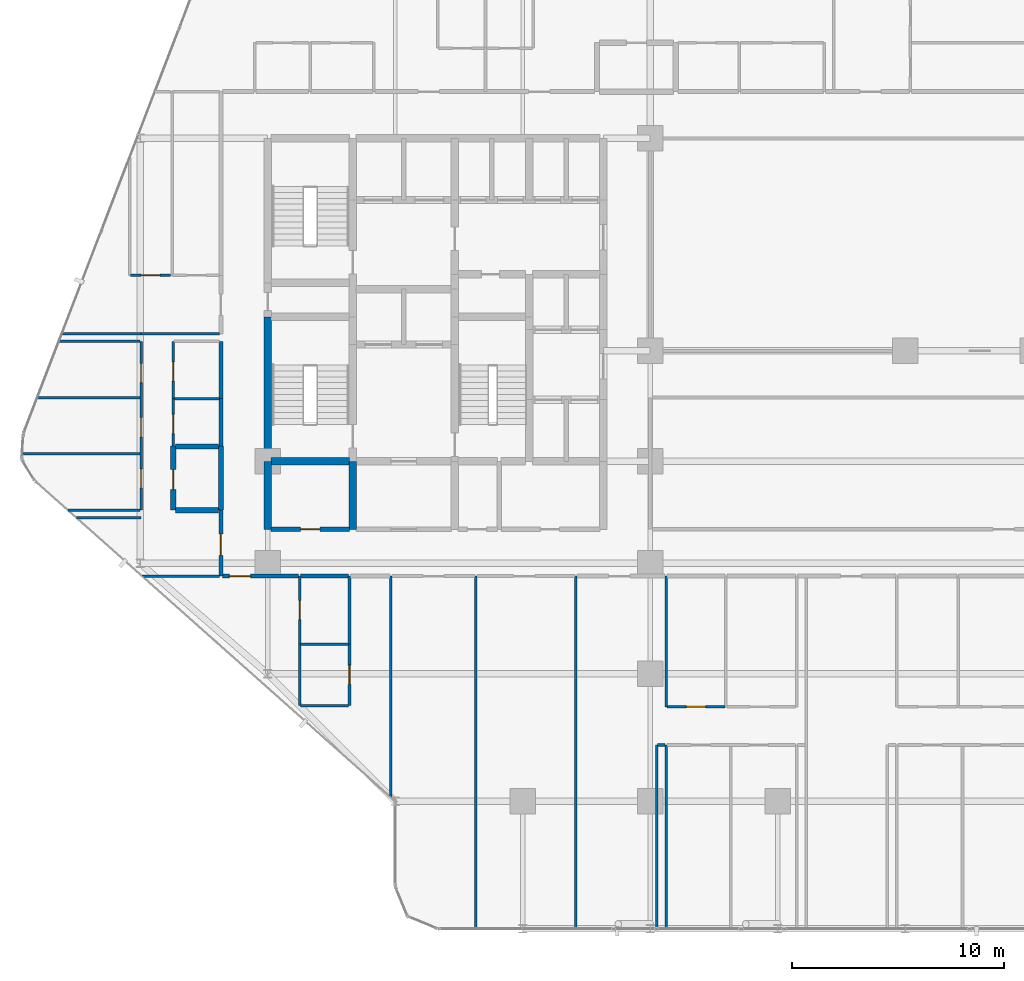
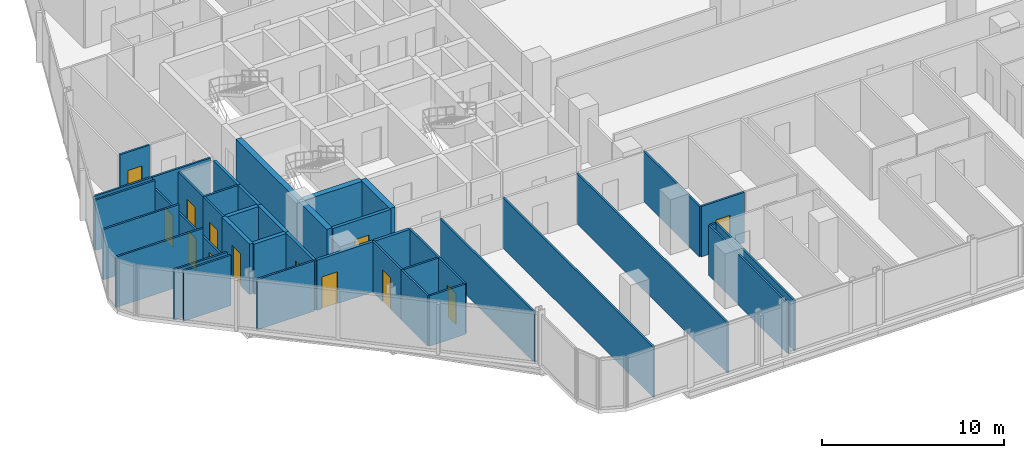
# One storey, part 26 of 34: 41 walls, 13 doors, 13 openings.
"""IFC4 building model written with IfcOpenShell, lengths in metres."""

import ifcopenshell
import ifcopenshell.guid

model = None  # the IFC model being written
_history = None  # IfcOwnerHistory: only IFC2X3 demands one
_inside = {}  # id of a spatial element -> (the spatial element, [elements in it])
_under = {}  # id of a project, library or spatial element -> (it, [spatial elements below it])
_declared = {}  # id of a project -> (the project, [libraries it declares])
_typed = {}  # id of a type object -> (the type object, [elements of that type])
_made_of = {}  # id of a material, layer set ... -> (it, [elements and type objects made of it])


def new_model(schema):
    """Start an empty IFC model of exactly this schema.

    Asked for "IFC4X3", IfcOpenShell would pick the latest addendum, in which some entities
    have other attributes; the version numbers below select the first issue.
    IFC2X3 requires an IfcOwnerHistory on every rooted entity: one is made here for all.
    """
    global model, _history
    if schema == "IFC4X3":
        model = ifcopenshell.file(schema_version=(4, 3, 0, 0))
    else:
        model = ifcopenshell.file(schema=schema)
    _inside.clear()
    _under.clear()
    _declared.clear()
    _typed.clear()
    _made_of.clear()
    _history = None
    if model.schema == "IFC2X3":
        org = make("IfcOrganization", Name="unknown")
        user = make(
            "IfcPersonAndOrganization",
            ThePerson=make("IfcPerson", FamilyName="unknown"),
            TheOrganization=org,
        )
        app = make(
            "IfcApplication",
            ApplicationDeveloper=org,
            Version="unknown",
            ApplicationFullName="unknown",
            ApplicationIdentifier="unknown",
        )
        _history = make(
            "IfcOwnerHistory",
            OwningUser=user,
            OwningApplication=app,
            ChangeAction="ADDED",
            CreationDate=0,
        )
    return model


def make(cls, **values):
    """One entity of the class cls with the attributes given. An attribute that is None is left unset."""
    return model.create_entity(
        cls, **{name: value for name, value in values.items() if value is not None}
    )


def rooted(cls, **values):
    """An entity with a GlobalId (a new one), such as an element, a storey or a relation."""
    return make(cls, GlobalId=ifcopenshell.guid.new(), OwnerHistory=_history, **values)


def si_unit(unit_type, name, prefix=None):
    """IfcSIUnit, for example si_unit("LENGTHUNIT", "METRE", prefix="MILLI")."""
    return make("IfcSIUnit", UnitType=unit_type, Prefix=prefix, Name=name)


def assignment(units):
    """IfcUnitAssignment: the units of a project."""
    return None if units is None else make("IfcUnitAssignment", Units=units)


def point(xyz):
    """IfcCartesianPoint."""
    return None if xyz is None else make("IfcCartesianPoint", Coordinates=xyz)


def direction(xyz):
    """IfcDirection."""
    return None if xyz is None else make("IfcDirection", DirectionRatios=xyz)


def frame(location, z_axis=None, x_axis=None):
    """IfcAxis2Placement3D, a coordinate frame: its origin and axes. An axis left out is left unset."""
    return make(
        "IfcAxis2Placement3D",
        Location=point(location),
        Axis=direction(z_axis),
        RefDirection=direction(x_axis),
    )


def frame_2d(location, x_axis=None):
    """IfcAxis2Placement2D, a coordinate frame in the plane: its origin and x axis."""
    return make(
        "IfcAxis2Placement2D", Location=point(location), RefDirection=direction(x_axis)
    )


def origin():
    """The frame at (0, 0, 0) with its axes left unset."""
    return frame((0.0, 0.0, 0.0))


def place(relative_to, where):
    """IfcLocalPlacement: puts the frame where relative to a parent placement (None: the world)."""
    return make(
        "IfcLocalPlacement", PlacementRelTo=relative_to, RelativePlacement=where
    )


def context(
    kind, dimensions, precision=None, world=None, true_north=None, identifier=None
):
    """IfcGeometricRepresentationContext, for example the 3D "Model" context."""
    return make(
        "IfcGeometricRepresentationContext",
        ContextIdentifier=identifier,
        ContextType=kind,
        CoordinateSpaceDimension=dimensions,
        Precision=precision,
        WorldCoordinateSystem=world,
        TrueNorth=true_north,
    )


def subcontext(parent, identifier, kind, view, scale=None):
    """IfcGeometricRepresentationSubContext, for example "Body" below "Model"."""
    return make(
        "IfcGeometricRepresentationSubContext",
        ContextIdentifier=identifier,
        ContextType=kind,
        ParentContext=parent,
        TargetScale=scale,
        TargetView=view,
    )


def project(units=None, contexts=None):
    """IfcProject with its units and contexts."""
    return rooted(
        "IfcProject",
        Name="project",
        RepresentationContexts=contexts,
        UnitsInContext=assignment(units),
    )


def spatial(cls, under=None, at=None, **own):
    """A site, building, storey or space (cls), placed at a placement, below another one or the project."""
    s = rooted(cls, ObjectPlacement=at, **own)
    if under is not None:
        _under.setdefault(under.id(), (under, []))[1].append(s)
    return s


def profile(cls, at=None, kind="AREA", **sizes):
    """A parametric profile (cls). Its sizes go by their IFC names, for example OverallWidth=200.0."""
    return make(cls, ProfileType=kind, Position=at, **sizes)


def rectangle(**sizes):
    """IfcRectangleProfileDef."""
    return profile("IfcRectangleProfileDef", **sizes)


def extrude(swept, where, along, depth):
    """IfcExtrudedAreaSolid: the profile swept, set in the frame where, extruded along a direction by depth."""
    return make(
        "IfcExtrudedAreaSolid",
        SweptArea=swept,
        Position=where,
        ExtrudedDirection=direction(along),
        Depth=depth,
    )


def shape(context_of_items, identifier, shape_type, items):
    """IfcShapeRepresentation: the items that make up one representation, for example the "Body"."""
    return make(
        "IfcShapeRepresentation",
        ContextOfItems=context_of_items,
        RepresentationIdentifier=identifier,
        RepresentationType=shape_type,
        Items=items,
    )


def material(Name=None, Category=None):
    """IfcMaterial."""
    return make("IfcMaterial", Name=Name, Category=Category)


def layer(
    of_material, thickness, ventilated=None, Name=None, Category=None, Priority=None
):
    """IfcMaterialLayer: one layer of a wall or slab, of a material (None: an air gap)."""
    return make(
        "IfcMaterialLayer",
        Material=of_material,
        LayerThickness=thickness,
        IsVentilated=ventilated,
        Name=Name,
        Category=Category,
        Priority=Priority,
    )


def layer_set(layers, Name=None):
    """IfcMaterialLayerSet."""
    return make("IfcMaterialLayerSet", MaterialLayers=layers, LayerSetName=Name)


def made_of(thing, what):
    """Note that an element or type object is made of a material, layer set ...; save() writes the relation."""
    if what is not None:
        _made_of.setdefault(what.id(), (what, []))[1].append(thing)
    return thing


def type_object(cls, material=None, **own):
    """A type object (cls), such as IfcWallType, which elements share."""
    return made_of(rooted(cls, **own), material)


def element(
    cls,
    number,
    at=None,
    inside=None,
    cuts=None,
    type_object=None,
    material=None,
    context=None,
    identifier="Body",
    shape_type=None,
    held_by="IfcProductDefinitionShape",
    body=None,
    shapes=None,
    **own,
):
    """One element of the class cls, such as IfcWall. Its Tag is "e" and its number.

    at: its placement. inside: the storey or other place that contains it. cuts: it is an
    opening in that element (IfcRelVoidsElement). A single representation is given by context,
    identifier, shape_type and body (its items); several are given by shapes. held_by: the class
    of the entity that holds the representations. save() writes the other relations.
    """
    e = rooted(cls, Tag="e%d" % number, ObjectPlacement=at, **own)
    if body is not None:
        shapes = [shape(context, identifier, shape_type, body)]
    if shapes is not None:
        e.Representation = make(held_by, Representations=shapes)
    if inside is not None:
        _inside.setdefault(inside.id(), (inside, []))[1].append(e)
    if cuts is not None:
        rooted(
            "IfcRelVoidsElement", RelatingBuildingElement=cuts, RelatedOpeningElement=e
        )
    if type_object is not None:
        _typed.setdefault(type_object.id(), (type_object, []))[1].append(e)
    return made_of(e, material)


def fill(opening, filler):
    """IfcRelFillsElement: the door or window that sits in an opening."""
    return rooted(
        "IfcRelFillsElement",
        RelatingOpeningElement=opening,
        RelatedBuildingElement=filler,
    )


def aggregate(whole, parts):
    """IfcRelAggregates: a whole, such as a stair, and the parts it consists of."""
    return rooted("IfcRelAggregates", RelatingObject=whole, RelatedObjects=parts)


def save(model, path):
    """Write the relations noted so far, then the file.

    IfcRelAggregates (storeys below a building ...), IfcRelContainedInSpatialStructure (elements
    in a storey), IfcRelDefinesByType, IfcRelAssociatesMaterial and IfcRelDeclares: one each for
    every whole, place, type object, material and project.
    """
    for whole, parts in _under.values():
        aggregate(whole, parts)
    for where, things in _inside.values():
        rooted(
            "IfcRelContainedInSpatialStructure",
            RelatedElements=things,
            RelatingStructure=where,
        )
    for kind, things in _typed.values():
        rooted("IfcRelDefinesByType", RelatedObjects=things, RelatingType=kind)
    for what, things in _made_of.values():
        rooted("IfcRelAssociatesMaterial", RelatedObjects=things, RelatingMaterial=what)
    for by, libraries in _declared.values():
        rooted("IfcRelDeclares", RelatingContext=by, RelatedDefinitions=libraries)
    model.write(path)


model = new_model("IFC4")

# Units and contexts
model_context = context("Model", 3, precision=1e-05, world=origin(), true_north=direction((0.0, 1.0)))
body_context = subcontext(model_context, "Body", "Model", "MODEL_VIEW")
ifc_project = project(units=[si_unit("LENGTHUNIT", "METRE"), si_unit("AREAUNIT", "SQUARE_METRE"), si_unit("VOLUMEUNIT", "CUBIC_METRE"), si_unit("PLANEANGLEUNIT", "RADIAN"), si_unit("MASSUNIT", "GRAM", prefix="KILO")], contexts=[model_context])

# Site, building, storey
site_placement = place(None, origin())
site = spatial("IfcSite", under=ifc_project, at=site_placement, CompositionType="ELEMENT")
building_placement = place(site_placement, origin())
building = spatial("IfcBuilding", under=site, at=building_placement, Name="Keshet Zoharim Tower", CompositionType="ELEMENT")
storey_placement = place(building_placement, frame((0.0, 0.0, 70.10009765625)))
storey = spatial("IfcBuildingStorey", under=building, at=storey_placement, Name="L16", CompositionType="ELEMENT", Elevation=70.10009765625)

# Walls
ifc_material_1 = material(Name="Concrete C60/75", Category="concrete")
ifc_layer_1 = layer(ifc_material_1, 0.35009765625)
ifc_layer_set_1 = layer_set([ifc_layer_1], Name="Concrete C60/75")
wall_type_1 = type_object("IfcWallType", Name="WL-CORE-350", PredefinedType="SHEAR", material=ifc_layer_set_1)
wall_1_placement = place(storey_placement, frame((15.0, 19.5, 0.0), z_axis=(0.0, 0.0, 1.0), x_axis=(0.0, 1.0, 0.0)))
element("IfcWall", 1, at=wall_1_placement, inside=storey, type_object=wall_type_1, Name="L16 Core Shear Wall 015", PredefinedType="SHEAR", context=body_context, shape_type="SweptSolid", body=[
    extrude(rectangle(XDim=3.199951171875, YDim=0.35009765625, at=frame_2d((1.60009765625, 0.0))), origin(), (0.0, 0.0, 1.0), 3.385009765625),
])
wall_2_placement = place(storey_placement, frame((15.0, 22.699951171875, 0.0), z_axis=(0.0, 0.0, 1.0), x_axis=(0.0, 1.0, 0.0)))
element("IfcWall", 2, at=wall_2_placement, inside=storey, type_object=wall_type_1, Name="L16 Core Shear Wall 016", PredefinedType="SHEAR", context=body_context, shape_type="SweptSolid", body=[
    extrude(rectangle(XDim=6.800048828125, YDim=0.35009765625, at=frame_2d((3.39990234375, 0.0))), origin(), (0.0, 0.0, 1.0), 3.385009765625),
])
wall_3_placement = place(storey_placement, frame((19.0, 19.5, 0.0), z_axis=(0.0, 0.0, 1.0), x_axis=(0.0, 1.0, 0.0)))
element("IfcWall", 3, at=wall_3_placement, inside=storey, type_object=wall_type_1, Name="L16 Core Shear Wall 025", PredefinedType="SHEAR", context=body_context, shape_type="SweptSolid", body=[
    extrude(rectangle(XDim=3.199951171875, YDim=0.35009765625, at=frame_2d((1.60009765625, 0.0))), origin(), (0.0, 0.0, 1.0), 3.385009765625),
])
wall_4_placement = place(storey_placement, frame((15.159912109375, 22.699951171875, 0.0), z_axis=(0.0, 0.0, 1.0), x_axis=(1.0, 0.0, 0.0)))
element("IfcWall", 4, at=wall_4_placement, inside=storey, type_object=wall_type_1, Name="L16 Core Shear Wall 158", PredefinedType="SHEAR", context=body_context, shape_type="SweptSolid", body=[
    extrude(rectangle(XDim=3.68017578125, YDim=0.35009765625, at=frame_2d((1.840087890625, 0.0))), origin(), (0.0, 0.0, 1.0), 3.385009765625),
])

# Wall, opening, door
ifc_material_2 = material(Name="Gypsum Plasterboard", Category="gypsum")
ifc_layer_2 = layer(ifc_material_2, 0.179931640625)
ifc_layer_set_2 = layer_set([ifc_layer_2], Name="Gypsum Plasterboard")
wall_type_2 = type_object("IfcWallType", Name="WL-CORR-180", PredefinedType="STANDARD", material=ifc_layer_set_2)
wall_5_placement = place(storey_placement, frame((12.800048828125, 17.300048828125, 0.0), z_axis=(0.0, 0.0, 1.0), x_axis=(0.0, 1.0, 0.0)))
wall_5 = element("IfcWall", 5, at=wall_5_placement, inside=storey, type_object=wall_type_2, Name="L16 Interior Wall 007", PredefinedType="STANDARD", context=body_context, shape_type="SweptSolid", body=[
    extrude(rectangle(XDim=3.099853515625, YDim=0.179931640625, at=frame_2d((1.5498046875, 0.0))), origin(), (0.0, 0.0, 1.0), 3.385009765625),
])
opening_1_placement = place(wall_5_placement, frame((0.97802734375, 0.0, 0.0)))
opening_1 = element("IfcOpeningElement", 6, at=opening_1_placement, cuts=wall_5, Name="Opening D-F310", PredefinedType="OPENING", context=body_context, shape_type="SweptSolid", body=[
    extrude(rectangle(XDim=1.0, YDim=2.14990234375, at=frame_2d((0.5, 1.074951171875))), frame((0.0, 0.10009765625, 0.0), z_axis=(0.0, -1.0, 0.0), x_axis=(1.0, 0.0, 0.0)), (0.0, 0.0, 1.0), 0.199951171875),
])
ifc_material_3 = material(Name="Hardwood Timber", Category="wood")
door_type_1 = type_object("IfcDoorType", Name="DR-FD30-100", OperationType="NOTDEFINED", PredefinedType="DOOR", material=ifc_material_3)
door_1_placement = place(opening_1_placement, origin())
door_1 = element("IfcDoor", 7, at=door_1_placement, inside=storey, type_object=door_type_1, Name="Apartment 1610 Entrance Door", OperationType="SINGLE_SWING_LEFT", OverallHeight=2.14990234375, OverallWidth=1.0, PredefinedType="DOOR", context=body_context, shape_type="SweptSolid", body=[
    extrude(rectangle(XDim=1.0, YDim=2.14990234375, at=frame_2d((0.5, 1.074951171875))), frame((0.0, 0.02490234375, 0.0), z_axis=(0.0, -1.0, 0.0), x_axis=(1.0, 0.0, 0.0)), (0.0, 0.0, 1.0), 0.050048828125),
])
fill(opening_1, door_1)

# Walls
wall_6_placement = place(storey_placement, frame((12.800048828125, 23.4208984375, 0.0), z_axis=(0.0, 0.0, 1.0), x_axis=(0.0, 1.0, 0.0)))
element("IfcWall", 8, at=wall_6_placement, inside=storey, type_object=wall_type_2, Name="L16 Interior Wall 009", PredefinedType="STANDARD", context=body_context, shape_type="SweptSolid", body=[
    extrude(rectangle(XDim=2.22607421875, YDim=0.179931640625, at=frame_2d((1.113037109375, 0.0))), origin(), (0.0, 0.0, 1.0), 3.385009765625),
])
wall_7_placement = place(storey_placement, frame((12.800048828125, 25.64697265625, 0.0), z_axis=(0.0, 0.0, 1.0), x_axis=(0.0, 1.0, 0.0)))
element("IfcWall", 9, at=wall_7_placement, inside=storey, type_object=wall_type_2, Name="L16 Interior Wall 010", PredefinedType="STANDARD", context=body_context, shape_type="SweptSolid", body=[
    extrude(rectangle(XDim=2.703125, YDim=0.179931640625, at=frame_2d((1.3515625, 0.0))), origin(), (0.0, 0.0, 1.0), 3.385009765625),
])

# Wall, opening, door
wall_8_placement = place(storey_placement, frame((12.875, 17.300048828125, 0.0), z_axis=(0.0, 0.0, 1.0), x_axis=(1.0, 0.0, 0.0)))
wall_8 = element("IfcWall", 10, at=wall_8_placement, inside=storey, type_object=wall_type_2, Name="L16 Interior Wall 134", PredefinedType="STANDARD", context=body_context, shape_type="SweptSolid", body=[
    extrude(rectangle(XDim=3.580078125, YDim=0.179931640625, at=frame_2d((1.7900390625, 0.0))), origin(), (0.0, 0.0, 1.0), 3.385009765625),
])
opening_2_placement = place(wall_8_placement, frame((0.326904296875, 0.0, 0.0)))
opening_2 = element("IfcOpeningElement", 11, at=opening_2_placement, cuts=wall_8, Name="Opening D-F310", PredefinedType="OPENING", context=body_context, shape_type="SweptSolid", body=[
    extrude(rectangle(XDim=1.0, YDim=2.14990234375, at=frame_2d((0.5, 1.074951171875))), frame((0.0, 0.10009765625, 0.0), z_axis=(0.0, -1.0, 0.0), x_axis=(1.0, 0.0, 0.0)), (0.0, 0.0, 1.0), 0.199951171875),
])
door_2_placement = place(opening_2_placement, origin())
door_2 = element("IfcDoor", 12, at=door_2_placement, inside=storey, type_object=door_type_1, Name="Apartment 1601 Entrance Door", OperationType="SINGLE_SWING_LEFT", OverallHeight=2.14990234375, OverallWidth=1.0, PredefinedType="DOOR", context=body_context, shape_type="SweptSolid", body=[
    extrude(rectangle(XDim=1.0, YDim=2.14990234375, at=frame_2d((0.5, 1.074951171875))), frame((0.0, 0.02490234375, 0.0), z_axis=(0.0, -1.0, 0.0), x_axis=(1.0, 0.0, 0.0)), (0.0, 0.0, 1.0), 0.050048828125),
])
fill(opening_2, door_2)

# Wall
wall_9_placement = place(storey_placement, frame((16.544921875, 17.300048828125, 0.0), z_axis=(0.0, 0.0, 1.0), x_axis=(1.0, 0.0, 0.0)))
element("IfcWall", 13, at=wall_9_placement, inside=storey, type_object=wall_type_2, Name="L16 Interior Wall 135", PredefinedType="STANDARD", context=body_context, shape_type="SweptSolid", body=[
    extrude(rectangle(XDim=2.260009765625, YDim=0.179931640625, at=frame_2d((1.1298828125, 0.0))), origin(), (0.0, 0.0, 1.0), 3.385009765625),
])

# Wall, opening, door
ifc_material_4 = material(Name="Concrete C50/60", Category="concrete")
ifc_layer_3 = layer(ifc_material_4, 0.199951171875)
ifc_layer_set_3 = layer_set([ifc_layer_3], Name="Concrete C50/60")
wall_type_3 = type_object("IfcWallType", Name="WL-FIRE-200", PredefinedType="STANDARD", material=ifc_layer_set_3)
wall_10_placement = place(storey_placement, frame((15.159912109375, 19.5, 0.0), z_axis=(0.0, 0.0, 1.0), x_axis=(1.0, 0.0, 0.0)))
wall_10 = element("IfcWall", 14, at=wall_10_placement, inside=storey, type_object=wall_type_3, Name="L16 Interior Wall 150", PredefinedType="STANDARD", context=body_context, shape_type="SweptSolid", body=[
    extrude(rectangle(XDim=3.68017578125, YDim=0.199951171875, at=frame_2d((1.840087890625, 0.0))), origin(), (0.0, 0.0, 1.0), 3.385009765625),
])
opening_3_placement = place(wall_10_placement, frame((1.389892578125, 0.0, 0.0)))
opening_3 = element("IfcOpeningElement", 15, at=opening_3_placement, cuts=wall_10, Name="Opening D-F690", PredefinedType="OPENING", context=body_context, shape_type="SweptSolid", body=[
    extrude(rectangle(XDim=0.89990234375, YDim=2.14990234375, at=frame_2d((0.449951171875, 1.074951171875))), frame((0.0, 0.10986328125, 0.0), z_axis=(0.0, -1.0, 0.0), x_axis=(1.0, 0.0, 0.0)), (0.0, 0.0, 1.0), 0.219970703125),
])
door_type_2 = type_object("IfcDoorType", Name="DR-FD60-090", OperationType="NOTDEFINED", PredefinedType="DOOR", material=ifc_material_3)
door_3_placement = place(opening_3_placement, origin())
door_3 = element("IfcDoor", 16, at=door_3_placement, inside=storey, type_object=door_type_2, Name="L16 Refuse Room Door", OperationType="SINGLE_SWING_RIGHT", OverallHeight=2.14990234375, OverallWidth=0.89990234375, PredefinedType="DOOR", context=body_context, shape_type="SweptSolid", body=[
    extrude(rectangle(XDim=0.89990234375, YDim=2.14990234375, at=frame_2d((0.449951171875, 1.074951171875))), frame((0.0, 0.02490234375, 0.0), z_axis=(0.0, -1.0, 0.0), x_axis=(1.0, 0.0, 0.0)), (0.0, 0.0, 1.0), 0.050048828125),
])
fill(opening_3, door_3)

ifc_layer_4 = layer(ifc_material_4, 0.25)
ifc_layer_set_4 = layer_set([ifc_layer_4], Name="Concrete C50/60")
wall_type_4 = type_object("IfcWallType", Name="WL-MAMAD-250", PredefinedType="STANDARD", material=ifc_layer_set_4)
wall_11_placement = place(storey_placement, frame((10.550048828125, 20.39990234375, 0.0), z_axis=(0.0, 0.0, 1.0), x_axis=(0.0, 1.0, 0.0)))
wall_11 = element("IfcWall", 17, at=wall_11_placement, inside=storey, type_object=wall_type_4, Name="L16 Interior Wall 004", PredefinedType="STANDARD", context=body_context, shape_type="SweptSolid", body=[
    extrude(rectangle(XDim=3.02099609375, YDim=0.25, at=frame_2d((1.510498046875, 0.0))), origin(), (0.0, 0.0, 1.0), 3.385009765625),
])
opening_4_placement = place(wall_11_placement, frame((0.964111328125, 0.0, 0.0)))
opening_4 = element("IfcOpeningElement", 18, at=opening_4_placement, cuts=wall_11, Name="Opening D-F695", PredefinedType="OPENING", context=body_context, shape_type="SweptSolid", body=[
    extrude(rectangle(XDim=0.949951171875, YDim=2.14990234375, at=frame_2d((0.47509765625, 1.074951171875))), frame((0.0, 0.135009765625, 0.0), z_axis=(0.0, -1.0, 0.0), x_axis=(1.0, 0.0, 0.0)), (0.0, 0.0, 1.0), 0.27001953125),
])
door_type_3 = type_object("IfcDoorType", Name="DR-FD60-095", OperationType="NOTDEFINED", PredefinedType="DOOR", material=ifc_material_3)
door_4_placement = place(opening_4_placement, origin())
door_4 = element("IfcDoor", 19, at=door_4_placement, inside=storey, type_object=door_type_3, Name="Apartment 1610 Study and Shelter Room Door", OperationType="SINGLE_SWING_RIGHT", OverallHeight=2.14990234375, OverallWidth=0.949951171875, PredefinedType="DOOR", context=body_context, shape_type="SweptSolid", body=[
    extrude(rectangle(XDim=0.949951171875, YDim=2.14990234375, at=frame_2d((0.47509765625, 1.074951171875))), frame((0.0, 0.02490234375, 0.0), z_axis=(0.0, -1.0, 0.0), x_axis=(1.0, 0.0, 0.0)), (0.0, 0.0, 1.0), 0.050048828125),
])
fill(opening_4, door_4)

# Walls
wall_12_placement = place(storey_placement, frame((12.800048828125, 20.39990234375, 0.0), z_axis=(0.0, 0.0, 1.0), x_axis=(0.0, 1.0, 0.0)))
element("IfcWall", 20, at=wall_12_placement, inside=storey, type_object=wall_type_4, Name="L16 Interior Wall 008", PredefinedType="STANDARD", context=body_context, shape_type="SweptSolid", body=[
    extrude(rectangle(XDim=3.02099609375, YDim=0.25, at=frame_2d((1.510498046875, 0.0))), origin(), (0.0, 0.0, 1.0), 3.385009765625),
])
for number, where, z_axis, x_axis, name in (
    (21, (10.659912109375, 20.39990234375, 0.0), (0.0, 0.0, 1.0), (1.0, 0.0, 0.0), "L16 Interior Wall 157"),
    (22, (10.659912109375, 23.39990234375, 0.0), (0.0, 0.0, 1.0), (1.0, 0.0, 0.0), "L16 Interior Wall 164"),
):
    element("IfcWall", number, at=place(storey_placement, frame(where, z_axis=z_axis, x_axis=x_axis)), inside=storey, type_object=wall_type_4, Name=name, PredefinedType="STANDARD", context=body_context, shape_type="SweptSolid", body=[
        extrude(rectangle(XDim=2.030029296875, YDim=0.25, at=frame_2d((1.01513671875, 0.0))), origin(), (0.0, 0.0, 1.0), 3.385009765625),
    ])

# Wall, openings, doors
ifc_layer_5 = layer(ifc_material_2, 0.1201171875)
ifc_layer_set_5 = layer_set([ifc_layer_5], Name="Gypsum Plasterboard")
wall_type_5 = type_object("IfcWallType", Name="WL-PART-120", PredefinedType="PARTITIONING", material=ifc_layer_set_5)
wall_13_placement = place(storey_placement, frame((9.050048828125, 20.39990234375, 0.0), z_axis=(0.0, 0.0, 1.0), x_axis=(0.0, 1.0, 0.0)))
wall_13 = element("IfcWall", 23, at=wall_13_placement, inside=storey, type_object=wall_type_5, Name="L16 Interior Wall 002", PredefinedType="PARTITIONING", context=body_context, shape_type="SweptSolid", body=[
    extrude(rectangle(XDim=7.9501953125, YDim=0.1201171875, at=frame_2d((3.97509765625, 0.0))), origin(), (0.0, 0.0, 1.0), 2.784912109375),
])
opening_5_placement = place(wall_13_placement, frame((1.050048828125, 0.0, 0.0)))
opening_5 = element("IfcOpeningElement", 24, at=opening_5_placement, cuts=wall_13, Name="Opening D-IN90", PredefinedType="OPENING", context=body_context, shape_type="SweptSolid", body=[
    extrude(rectangle(XDim=0.89990234375, YDim=2.14990234375, at=frame_2d((0.449951171875, 1.074951171875))), frame((0.0, 0.070068359375, 0.0), z_axis=(0.0, -1.0, 0.0), x_axis=(1.0, 0.0, 0.0)), (0.0, 0.0, 1.0), 0.14013671875),
])
opening_6_placement = place(wall_13_placement, frame((3.455078125, 0.0, 0.0)))
opening_6 = element("IfcOpeningElement", 25, at=opening_6_placement, cuts=wall_13, Name="Opening D-IN90", PredefinedType="OPENING", context=body_context, shape_type="SweptSolid", body=[
    extrude(rectangle(XDim=0.89990234375, YDim=2.14990234375, at=frame_2d((0.449951171875, 1.074951171875))), frame((0.0, 0.070068359375, 0.0), z_axis=(0.0, -1.0, 0.0), x_axis=(1.0, 0.0, 0.0)), (0.0, 0.0, 1.0), 0.14013671875),
])
opening_7_placement = place(wall_13_placement, frame((6.0, 0.0, 0.0)))
opening_7 = element("IfcOpeningElement", 26, at=opening_7_placement, cuts=wall_13, Name="Opening D-IN90", PredefinedType="OPENING", context=body_context, shape_type="SweptSolid", body=[
    extrude(rectangle(XDim=0.89990234375, YDim=2.14990234375, at=frame_2d((0.449951171875, 1.074951171875))), frame((0.0, 0.070068359375, 0.0), z_axis=(0.0, -1.0, 0.0), x_axis=(1.0, 0.0, 0.0)), (0.0, 0.0, 1.0), 0.14013671875),
])
door_type_4 = type_object("IfcDoorType", Name="DR-INT-090", OperationType="NOTDEFINED", PredefinedType="DOOR", material=ifc_material_3)
door_5_placement = place(opening_5_placement, origin())
door_5 = element("IfcDoor", 27, at=door_5_placement, inside=storey, type_object=door_type_4, Name="Apartment 1610 Bedroom 1 Door", OperationType="SINGLE_SWING_LEFT", OverallHeight=2.14990234375, OverallWidth=0.89990234375, PredefinedType="DOOR", context=body_context, shape_type="SweptSolid", body=[
    extrude(rectangle(XDim=0.89990234375, YDim=2.14990234375, at=frame_2d((0.449951171875, 1.074951171875))), frame((0.0, 0.02490234375, 0.0), z_axis=(0.0, -1.0, 0.0), x_axis=(1.0, 0.0, 0.0)), (0.0, 0.0, 1.0), 0.050048828125),
])
fill(opening_5, door_5)
door_6_placement = place(opening_6_placement, origin())
door_6 = element("IfcDoor", 28, at=door_6_placement, inside=storey, type_object=door_type_4, Name="Apartment 1610 Bedroom 2 Door", OperationType="SINGLE_SWING_RIGHT", OverallHeight=2.14990234375, OverallWidth=0.89990234375, PredefinedType="DOOR", context=body_context, shape_type="SweptSolid", body=[
    extrude(rectangle(XDim=0.89990234375, YDim=2.14990234375, at=frame_2d((0.449951171875, 1.074951171875))), frame((0.0, 0.02490234375, 0.0), z_axis=(0.0, -1.0, 0.0), x_axis=(1.0, 0.0, 0.0)), (0.0, 0.0, 1.0), 0.050048828125),
])
fill(opening_6, door_6)
door_7_placement = place(opening_7_placement, origin())
door_7 = element("IfcDoor", 29, at=door_7_placement, inside=storey, type_object=door_type_4, Name="Apartment 1610 Bedroom 3 Door", OperationType="SINGLE_SWING_LEFT", OverallHeight=2.14990234375, OverallWidth=0.89990234375, PredefinedType="DOOR", context=body_context, shape_type="SweptSolid", body=[
    extrude(rectangle(XDim=0.89990234375, YDim=2.14990234375, at=frame_2d((0.449951171875, 1.074951171875))), frame((0.0, 0.02490234375, 0.0), z_axis=(0.0, -1.0, 0.0), x_axis=(1.0, 0.0, 0.0)), (0.0, 0.0, 1.0), 0.050048828125),
])
fill(opening_7, door_7)

# Wall, opening, door
wall_14_placement = place(storey_placement, frame((10.550048828125, 25.64697265625, 0.0), z_axis=(0.0, 0.0, 1.0), x_axis=(0.0, 1.0, 0.0)))
wall_14 = element("IfcWall", 30, at=wall_14_placement, inside=storey, type_object=wall_type_5, Name="L16 Interior Wall 006", PredefinedType="PARTITIONING", context=body_context, shape_type="SweptSolid", body=[
    extrude(rectangle(XDim=2.703125, YDim=0.1201171875, at=frame_2d((1.3515625, 0.0))), origin(), (0.0, 0.0, 1.0), 3.385009765625),
])
opening_8_placement = place(wall_14_placement, frame((0.830078125, 0.0, 0.0)))
opening_8 = element("IfcOpeningElement", 31, at=opening_8_placement, cuts=wall_14, Name="Opening D-IN90", PredefinedType="OPENING", context=body_context, shape_type="SweptSolid", body=[
    extrude(rectangle(XDim=0.89990234375, YDim=2.14990234375, at=frame_2d((0.449951171875, 1.074951171875))), frame((0.0, 0.070068359375, 0.0), z_axis=(0.0, -1.0, 0.0), x_axis=(1.0, 0.0, 0.0)), (0.0, 0.0, 1.0), 0.14013671875),
])
door_8_placement = place(opening_8_placement, origin())
door_8 = element("IfcDoor", 32, at=door_8_placement, inside=storey, type_object=door_type_4, Name="Apartment 1610 Kitchen Door", OperationType="SINGLE_SWING_RIGHT", OverallHeight=2.14990234375, OverallWidth=0.89990234375, PredefinedType="DOOR", context=body_context, shape_type="SweptSolid", body=[
    extrude(rectangle(XDim=0.89990234375, YDim=2.14990234375, at=frame_2d((0.449951171875, 1.074951171875))), frame((0.0, 0.02490234375, 0.0), z_axis=(0.0, -1.0, 0.0), x_axis=(1.0, 0.0, 0.0)), (0.0, 0.0, 1.0), 0.050048828125),
])
fill(opening_8, door_8)

wall_15_placement = place(storey_placement, frame((16.5, 14.10009765625, 0.0), z_axis=(0.0, 0.0, 1.0), x_axis=(0.0, 1.0, 0.0)))
wall_15 = element("IfcWall", 33, at=wall_15_placement, inside=storey, type_object=wall_type_5, Name="L16 Interior Wall 020", PredefinedType="PARTITIONING", context=body_context, shape_type="SweptSolid", body=[
    extrude(rectangle(XDim=3.199951171875, YDim=0.1201171875, at=frame_2d((1.60009765625, 0.0))), origin(), (0.0, 0.0, 1.0), 3.385009765625),
])
opening_9_placement = place(wall_15_placement, frame((1.14990234375, 0.0, 0.0)))
opening_9 = element("IfcOpeningElement", 34, at=opening_9_placement, cuts=wall_15, Name="Opening D-IN90", PredefinedType="OPENING", context=body_context, shape_type="SweptSolid", body=[
    extrude(rectangle(XDim=0.89990234375, YDim=2.14990234375, at=frame_2d((0.449951171875, 1.074951171875))), frame((0.0, 0.070068359375, 0.0), z_axis=(0.0, -1.0, 0.0), x_axis=(1.0, 0.0, 0.0)), (0.0, 0.0, 1.0), 0.14013671875),
])
door_9_placement = place(opening_9_placement, origin())
door_9 = element("IfcDoor", 35, at=door_9_placement, inside=storey, type_object=door_type_4, Name="Apartment 1601 Kitchenette Door", OperationType="SINGLE_SWING_RIGHT", OverallHeight=2.14990234375, OverallWidth=0.89990234375, PredefinedType="DOOR", context=body_context, shape_type="SweptSolid", body=[
    extrude(rectangle(XDim=0.89990234375, YDim=2.14990234375, at=frame_2d((0.449951171875, 1.074951171875))), frame((0.0, 0.02490234375, 0.0), z_axis=(0.0, -1.0, 0.0), x_axis=(1.0, 0.0, 0.0)), (0.0, 0.0, 1.0), 0.050048828125),
])
fill(opening_9, door_9)

# Walls
wall_16_placement = place(storey_placement, frame((18.85009765625, 14.10009765625, 0.0), z_axis=(0.0, 0.0, 1.0), x_axis=(0.0, 1.0, 0.0)))
element("IfcWall", 36, at=wall_16_placement, inside=storey, type_object=wall_type_5, Name="L16 Interior Wall 024", PredefinedType="PARTITIONING", context=body_context, shape_type="SweptSolid", body=[
    extrude(rectangle(XDim=3.199951171875, YDim=0.1201171875, at=frame_2d((1.60009765625, 0.0))), origin(), (0.0, 0.0, 1.0), 3.385009765625),
])
wall_17_placement = place(storey_placement, frame((20.800048828125, 6.887939453125, 0.0), z_axis=(0.0, 0.0, 1.0), x_axis=(0.0, 1.0, 0.0)))
element("IfcWall", 37, at=wall_17_placement, inside=storey, type_object=wall_type_5, Name="L16 Interior Wall 033", PredefinedType="PARTITIONING", context=body_context, shape_type="SweptSolid", body=[
    extrude(rectangle(XDim=10.412109375, YDim=0.1201171875, at=frame_2d((5.2060546875, 0.0))), origin(), (0.0, 0.0, 1.0), 3.385009765625),
])
for number, where, z_axis, x_axis, name in (
    (38, (24.800048828125, 0.7099609375, 0.0), (0.0, 0.0, 1.0), (0.0, 1.0, 0.0), "L16 Interior Wall 044"),
    (39, (29.5, 0.7099609375, 0.0), (0.0, 0.0, 1.0), (0.0, 1.0, 0.0), "L16 Interior Wall 058"),
):
    element("IfcWall", number, at=place(storey_placement, frame(where, z_axis=z_axis, x_axis=x_axis)), inside=storey, type_object=wall_type_5, Name=name, PredefinedType="PARTITIONING", context=body_context, shape_type="SweptSolid", body=[
        extrude(rectangle(XDim=16.590087890625, YDim=0.1201171875, at=frame_2d((8.294921875, 0.0))), origin(), (0.0, 0.0, 1.0), 3.385009765625),
    ])
for number, where, z_axis, x_axis, name in (
    (40, (33.300048828125, 0.7099609375, 0.0), (0.0, 0.0, 1.0), (0.0, 1.0, 0.0), "L16 Interior Wall 071"),
    (41, (33.75, 0.7099609375, 0.0), (0.0, 0.0, 1.0), (0.0, 1.0, 0.0), "L16 Interior Wall 072"),
):
    element("IfcWall", number, at=place(storey_placement, frame(where, z_axis=z_axis, x_axis=x_axis)), inside=storey, type_object=wall_type_5, Name=name, PredefinedType="PARTITIONING", context=body_context, shape_type="SweptSolid", body=[
        extrude(rectangle(XDim=8.64013671875, YDim=0.1201171875, at=frame_2d((4.320068359375, 0.0))), origin(), (0.0, 0.0, 1.0), 3.385009765625),
    ])
wall_18_placement = place(storey_placement, frame((33.75, 11.14990234375, 0.0), z_axis=(0.0, 0.0, 1.0), x_axis=(0.0, 1.0, 0.0)))
element("IfcWall", 42, at=wall_18_placement, inside=storey, type_object=wall_type_5, Name="L16 Interior Wall 073", PredefinedType="PARTITIONING", context=body_context, shape_type="SweptSolid", body=[
    extrude(rectangle(XDim=6.150146484375, YDim=0.1201171875, at=frame_2d((3.0751953125, 0.0))), origin(), (0.0, 0.0, 1.0), 3.385009765625),
])
wall_19_placement = place(storey_placement, frame((33.3349609375, 9.35009765625, 0.0), z_axis=(0.0, 0.0, 1.0), x_axis=(1.0, 0.0, 0.0)))
element("IfcWall", 43, at=wall_19_placement, inside=storey, type_object=wall_type_5, Name="L16 Interior Wall 117", PredefinedType="PARTITIONING", context=body_context, shape_type="SweptSolid", body=[
    extrude(rectangle(XDim=0.360107421875, YDim=0.1201171875, at=frame_2d((0.18017578125, 0.0))), origin(), (0.0, 0.0, 1.0), 3.385009765625),
])

# Wall, opening, door
wall_20_placement = place(storey_placement, frame((33.784912109375, 11.14990234375, 0.0), z_axis=(0.0, 0.0, 1.0), x_axis=(1.0, 0.0, 0.0)))
wall_20 = element("IfcWall", 44, at=wall_20_placement, inside=storey, type_object=wall_type_5, Name="L16 Interior Wall 123", PredefinedType="PARTITIONING", context=body_context, shape_type="SweptSolid", body=[
    extrude(rectangle(XDim=2.739013671875, YDim=0.1201171875, at=frame_2d((1.36962890625, 0.0))), origin(), (0.0, 0.0, 1.0), 3.385009765625),
])
opening_10_placement = place(wall_20_placement, frame((0.919921875, 0.0, 0.0)))
opening_10 = element("IfcOpeningElement", 45, at=opening_10_placement, cuts=wall_20, Name="Opening D-IN90", PredefinedType="OPENING", context=body_context, shape_type="SweptSolid", body=[
    extrude(rectangle(XDim=0.89990234375, YDim=2.14990234375, at=frame_2d((0.449951171875, 1.074951171875))), frame((0.0, 0.070068359375, 0.0), z_axis=(0.0, -1.0, 0.0), x_axis=(1.0, 0.0, 0.0)), (0.0, 0.0, 1.0), 0.14013671875),
])
door_10_placement = place(opening_10_placement, origin())
door_10 = element("IfcDoor", 46, at=door_10_placement, inside=storey, type_object=door_type_4, Name="Apartment 1602 Kitchen Door", OperationType="SINGLE_SWING_LEFT", OverallHeight=2.14990234375, OverallWidth=0.89990234375, PredefinedType="DOOR", context=body_context, shape_type="SweptSolid", body=[
    extrude(rectangle(XDim=0.89990234375, YDim=2.14990234375, at=frame_2d((0.449951171875, 1.074951171875))), frame((0.0, 0.02490234375, 0.0), z_axis=(0.0, -1.0, 0.0), x_axis=(1.0, 0.0, 0.0)), (0.0, 0.0, 1.0), 0.050048828125),
])
fill(opening_10, door_10)

# Walls
wall_21_placement = place(storey_placement, frame((9.0849609375, 17.300048828125, 0.0), z_axis=(0.0, 0.0, 1.0), x_axis=(1.0, 0.0, 0.0)))
element("IfcWall", 47, at=wall_21_placement, inside=storey, type_object=wall_type_5, Name="L16 Interior Wall 133", PredefinedType="PARTITIONING", context=body_context, shape_type="SweptSolid", body=[
    extrude(rectangle(XDim=3.64013671875, YDim=0.1201171875, at=frame_2d((1.820068359375, 0.0))), origin(), (0.0, 0.0, 1.0), 3.385009765625),
])
wall_22_placement = place(storey_placement, frame((5.990966796875, 20.050048828125, 0.0), z_axis=(0.0, 0.0, 1.0), x_axis=(1.0, 0.0, 0.0)))
element("IfcWall", 48, at=wall_22_placement, inside=storey, type_object=wall_type_5, Name="L16 Interior Wall 155", PredefinedType="PARTITIONING", context=body_context, shape_type="SweptSolid", body=[
    extrude(rectangle(XDim=3.0390625, YDim=0.1201171875, at=frame_2d((1.51953125, 0.0))), origin(), (0.0, 0.0, 1.0), 3.385009765625),
])
wall_23_placement = place(storey_placement, frame((5.597900390625, 20.39990234375, 0.0), z_axis=(0.0, 0.0, 1.0), x_axis=(1.0, 0.0, 0.0)))
element("IfcWall", 49, at=wall_23_placement, inside=storey, type_object=wall_type_5, Name="L16 Interior Wall 156", PredefinedType="PARTITIONING", context=body_context, shape_type="SweptSolid", body=[
    extrude(rectangle(XDim=3.38720703125, YDim=0.1201171875, at=frame_2d((1.693603515625, 0.0))), origin(), (0.0, 0.0, 1.0), 3.385009765625),
])
wall_24_placement = place(storey_placement, frame((3.446044921875, 23.050048828125, 0.0), z_axis=(0.0, 0.0, 1.0), x_axis=(1.0, 0.0, 0.0)))
element("IfcWall", 50, at=wall_24_placement, inside=storey, type_object=wall_type_5, Name="L16 Interior Wall 163", PredefinedType="PARTITIONING", context=body_context, shape_type="SweptSolid", body=[
    extrude(rectangle(XDim=5.5390625, YDim=0.1201171875, at=frame_2d((2.76953125, 0.0))), origin(), (0.0, 0.0, 1.0), 3.385009765625),
])
wall_25_placement = place(storey_placement, frame((4.1640625, 25.699951171875, 0.0), z_axis=(0.0, 0.0, 1.0), x_axis=(1.0, 0.0, 0.0)))
element("IfcWall", 51, at=wall_25_placement, inside=storey, type_object=wall_type_5, Name="L16 Interior Wall 167", PredefinedType="PARTITIONING", context=body_context, shape_type="SweptSolid", body=[
    extrude(rectangle(XDim=4.821044921875, YDim=0.1201171875, at=frame_2d((2.41064453125, 0.0))), origin(), (0.0, 0.0, 1.0), 3.385009765625),
])
wall_26_placement = place(storey_placement, frame((5.18310546875, 28.35009765625, 0.0), z_axis=(0.0, 0.0, 1.0), x_axis=(1.0, 0.0, 0.0)))
element("IfcWall", 52, at=wall_26_placement, inside=storey, type_object=wall_type_5, Name="L16 Interior Wall 171", PredefinedType="PARTITIONING", context=body_context, shape_type="SweptSolid", body=[
    extrude(rectangle(XDim=3.802001953125, YDim=0.1201171875, at=frame_2d((1.90087890625, 0.0))), origin(), (0.0, 0.0, 1.0), 3.385009765625),
])
wall_27_placement = place(storey_placement, frame((5.31689453125, 28.699951171875, 0.0), z_axis=(0.0, 0.0, 1.0), x_axis=(1.0, 0.0, 0.0)))
element("IfcWall", 53, at=wall_27_placement, inside=storey, type_object=wall_type_5, Name="L16 Interior Wall 173", PredefinedType="PARTITIONING", context=body_context, shape_type="SweptSolid", body=[
    extrude(rectangle(XDim=3.713134765625, YDim=0.1201171875, at=frame_2d((1.8564453125, 0.0))), origin(), (0.0, 0.0, 1.0), 3.385009765625),
])
wall_28_placement = place(storey_placement, frame((9.030029296875, 28.699951171875, 0.0), z_axis=(0.0, 0.0, 1.0), x_axis=(1.0, 0.0, 0.0)))
element("IfcWall", 54, at=wall_28_placement, inside=storey, type_object=wall_type_5, Name="L16 Interior Wall 174", PredefinedType="PARTITIONING", context=body_context, shape_type="SweptSolid", body=[
    extrude(rectangle(XDim=3.695068359375, YDim=0.1201171875, at=frame_2d((1.84765625, 0.0))), origin(), (0.0, 0.0, 1.0), 3.385009765625),
])

# Wall, opening, door
wall_29_placement = place(storey_placement, frame((8.544921875, 31.449951171875, 0.0), z_axis=(0.0, 0.0, 1.0), x_axis=(1.0, 0.0, 0.0)))
wall_29 = element("IfcWall", 55, at=wall_29_placement, inside=storey, type_object=wall_type_5, Name="L16 Interior Wall 180", PredefinedType="PARTITIONING", context=body_context, shape_type="SweptSolid", body=[
    extrude(rectangle(XDim=1.88818359375, YDim=0.1201171875, at=frame_2d((0.944091796875, 0.0))), origin(), (0.0, 0.0, 1.0), 3.385009765625),
])
opening_11_placement = place(wall_29_placement, frame((0.493896484375, 0.0, 0.0)))
opening_11 = element("IfcOpeningElement", 56, at=opening_11_placement, cuts=wall_29, Name="Opening D-IN90", PredefinedType="OPENING", context=body_context, shape_type="SweptSolid", body=[
    extrude(rectangle(XDim=0.89990234375, YDim=2.14990234375, at=frame_2d((0.449951171875, 1.074951171875))), frame((0.0, 0.070068359375, 0.0), z_axis=(0.0, -1.0, 0.0), x_axis=(1.0, 0.0, 0.0)), (0.0, 0.0, 1.0), 0.14013671875),
])
door_11_placement = place(opening_11_placement, origin())
door_11 = element("IfcDoor", 57, at=door_11_placement, inside=storey, type_object=door_type_4, Name="Apartment 1611 Kitchen Door", OperationType="SINGLE_SWING_LEFT", OverallHeight=2.14990234375, OverallWidth=0.89990234375, PredefinedType="DOOR", context=body_context, shape_type="SweptSolid", body=[
    extrude(rectangle(XDim=0.89990234375, YDim=2.14990234375, at=frame_2d((0.449951171875, 1.074951171875))), frame((0.0, 0.02490234375, 0.0), z_axis=(0.0, -1.0, 0.0), x_axis=(1.0, 0.0, 0.0)), (0.0, 0.0, 1.0), 0.050048828125),
])
fill(opening_11, door_11)

ifc_layer_6 = layer(ifc_material_2, 0.1201171875)
ifc_layer_set_6 = layer_set([ifc_layer_6], Name="Gypsum Plasterboard")
wall_type_6 = type_object("IfcWallType", Name="WL-WET-120", PredefinedType="PARTITIONING", material=ifc_layer_set_6)
wall_30_placement = place(storey_placement, frame((10.550048828125, 23.4208984375, 0.0), z_axis=(0.0, 0.0, 1.0), x_axis=(0.0, 1.0, 0.0)))
wall_30 = element("IfcWall", 58, at=wall_30_placement, inside=storey, type_object=wall_type_6, Name="L16 Interior Wall 005", PredefinedType="PARTITIONING", context=body_context, shape_type="SweptSolid", body=[
    extrude(rectangle(XDim=2.22607421875, YDim=0.1201171875, at=frame_2d((1.113037109375, 0.0))), origin(), (0.0, 0.0, 1.0), 3.385009765625),
])
opening_12_placement = place(wall_30_placement, frame((0.583984375, 0.0, 0.0)))
opening_12 = element("IfcOpeningElement", 59, at=opening_12_placement, cuts=wall_30, Name="Opening D-WT90", PredefinedType="OPENING", context=body_context, shape_type="SweptSolid", body=[
    extrude(rectangle(XDim=0.89990234375, YDim=2.10009765625, at=frame_2d((0.449951171875, 1.050048828125))), frame((0.0, 0.070068359375, 0.0), z_axis=(0.0, -1.0, 0.0), x_axis=(1.0, 0.0, 0.0)), (0.0, 0.0, 1.0), 0.14013671875),
])
door_type_5 = type_object("IfcDoorType", Name="DR-WET-090", OperationType="NOTDEFINED", PredefinedType="DOOR", material=ifc_material_3)
door_12_placement = place(opening_12_placement, origin())
door_12 = element("IfcDoor", 60, at=door_12_placement, inside=storey, type_object=door_type_5, Name="Apartment 1610 Bathroom Door", OperationType="SINGLE_SWING_LEFT", OverallHeight=2.10009765625, OverallWidth=0.89990234375, PredefinedType="DOOR", context=body_context, shape_type="SweptSolid", body=[
    extrude(rectangle(XDim=0.89990234375, YDim=2.10009765625, at=frame_2d((0.449951171875, 1.050048828125))), frame((0.0, 0.02490234375, 0.0), z_axis=(0.0, -1.0, 0.0), x_axis=(1.0, 0.0, 0.0)), (0.0, 0.0, 1.0), 0.050048828125),
])
fill(opening_12, door_12)

# Wall
wall_31_placement = place(storey_placement, frame((16.5, 11.199951171875, 0.0), z_axis=(0.0, 0.0, 1.0), x_axis=(0.0, 1.0, 0.0)))
element("IfcWall", 61, at=wall_31_placement, inside=storey, type_object=wall_type_6, Name="L16 Interior Wall 019", PredefinedType="PARTITIONING", context=body_context, shape_type="SweptSolid", body=[
    extrude(rectangle(XDim=2.900146484375, YDim=0.1201171875, at=frame_2d((1.4501953125, 0.0))), origin(), (0.0, 0.0, 1.0), 3.385009765625),
])

# Wall, opening, door
wall_32_placement = place(storey_placement, frame((18.85009765625, 11.199951171875, 0.0), z_axis=(0.0, 0.0, 1.0), x_axis=(0.0, 1.0, 0.0)))
wall_32 = element("IfcWall", 62, at=wall_32_placement, inside=storey, type_object=wall_type_6, Name="L16 Interior Wall 023", PredefinedType="PARTITIONING", context=body_context, shape_type="SweptSolid", body=[
    extrude(rectangle(XDim=2.900146484375, YDim=0.1201171875, at=frame_2d((1.4501953125, 0.0))), origin(), (0.0, 0.0, 1.0), 3.385009765625),
])
opening_13_placement = place(wall_32_placement, frame((1.0, 0.0, 0.0)))
opening_13 = element("IfcOpeningElement", 63, at=opening_13_placement, cuts=wall_32, Name="Opening D-WT90", PredefinedType="OPENING", context=body_context, shape_type="SweptSolid", body=[
    extrude(rectangle(XDim=0.89990234375, YDim=2.10009765625, at=frame_2d((0.449951171875, 1.050048828125))), frame((0.0, 0.070068359375, 0.0), z_axis=(0.0, -1.0, 0.0), x_axis=(1.0, 0.0, 0.0)), (0.0, 0.0, 1.0), 0.14013671875),
])
door_13_placement = place(opening_13_placement, origin())
door_13 = element("IfcDoor", 64, at=door_13_placement, inside=storey, type_object=door_type_5, Name="Apartment 1601 Bathroom Door", OperationType="SINGLE_SWING_LEFT", OverallHeight=2.10009765625, OverallWidth=0.89990234375, PredefinedType="DOOR", context=body_context, shape_type="SweptSolid", body=[
    extrude(rectangle(XDim=0.89990234375, YDim=2.10009765625, at=frame_2d((0.449951171875, 1.050048828125))), frame((0.0, 0.02490234375, 0.0), z_axis=(0.0, -1.0, 0.0), x_axis=(1.0, 0.0, 0.0)), (0.0, 0.0, 1.0), 0.050048828125),
])
fill(opening_13, door_13)

# Walls
for number, where, z_axis, x_axis, name in (
    (65, (16.544921875, 11.199951171875, 0.0), (0.0, 0.0, 1.0), (1.0, 0.0, 0.0), "L16 Interior Wall 127"),
    (66, (16.544921875, 14.10009765625, 0.0), (0.0, 0.0, 1.0), (1.0, 0.0, 0.0), "L16 Interior Wall 130"),
):
    element("IfcWall", number, at=place(storey_placement, frame(where, z_axis=z_axis, x_axis=x_axis)), inside=storey, type_object=wall_type_6, Name=name, PredefinedType="PARTITIONING", context=body_context, shape_type="SweptSolid", body=[
        extrude(rectangle(XDim=2.260009765625, YDim=0.1201171875, at=frame_2d((1.1298828125, 0.0))), origin(), (0.0, 0.0, 1.0), 3.385009765625),
    ])
wall_33_placement = place(storey_placement, frame((10.594970703125, 25.64990234375, 0.0), z_axis=(0.0, 0.0, 1.0), x_axis=(1.0, 0.0, 0.0)))
element("IfcWall", 67, at=wall_33_placement, inside=storey, type_object=wall_type_6, Name="L16 Interior Wall 166", PredefinedType="PARTITIONING", context=body_context, shape_type="SweptSolid", body=[
    extrude(rectangle(XDim=2.130126953125, YDim=0.1201171875, at=frame_2d((1.06494140625, 0.0))), origin(), (0.0, 0.0, 1.0), 3.385009765625),
])

save(model, "model.ifc")
